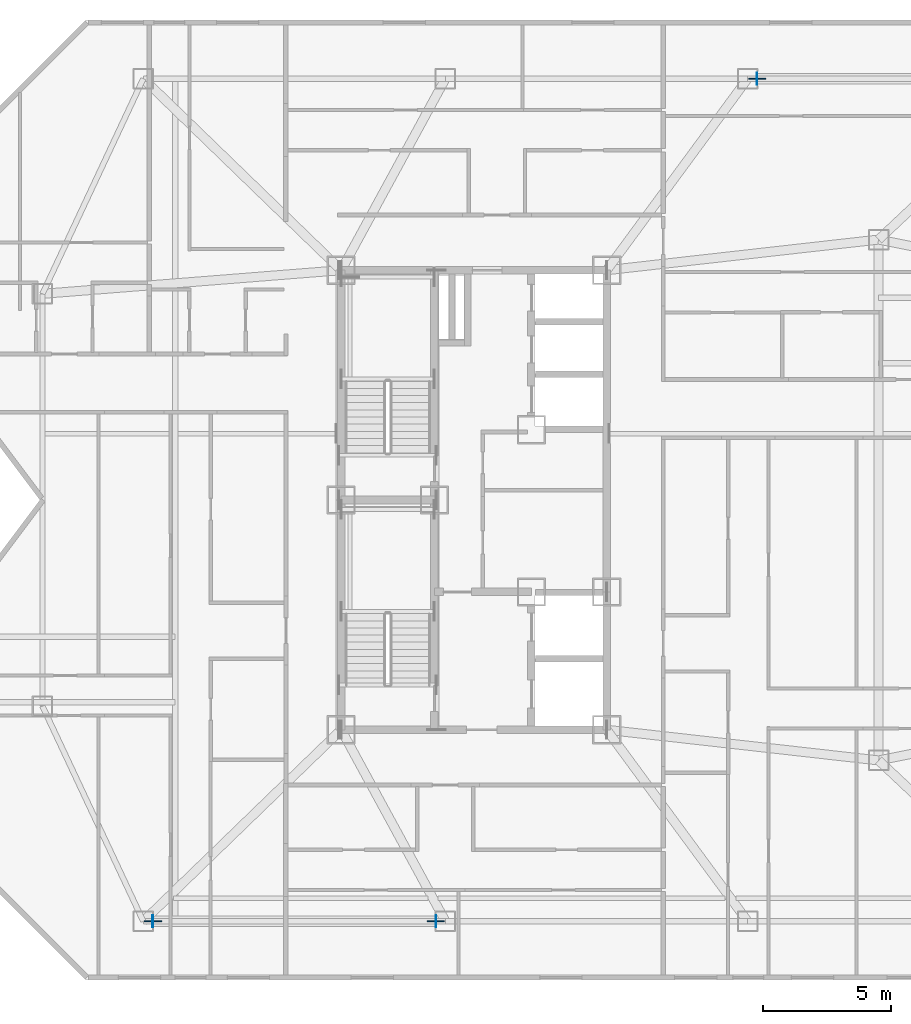
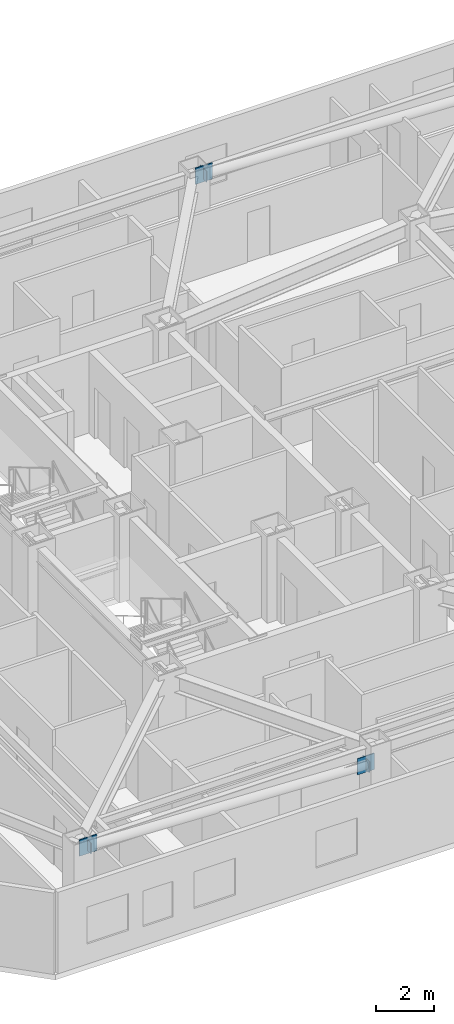
# One storey, part 3 of 12: 6 plates.
"""IFC4 building model written with IfcOpenShell, lengths in metres."""

from ifc_helpers import new_model, si_unit, direction, frame, origin, origin_2d, place, context, subcontext, project, spatial, rectangle, extrude, material, layer, layer_set, type_object, element, save


model = new_model("IFC4")

# Units and contexts
model_context = context("Model", 3, precision=1e-05, world=origin(), true_north=direction((0.0, 1.0)))
body_context = subcontext(model_context, "Body", "Model", "MODEL_VIEW")
ifc_project = project(units=[si_unit("LENGTHUNIT", "METRE"), si_unit("AREAUNIT", "SQUARE_METRE"), si_unit("VOLUMEUNIT", "CUBIC_METRE"), si_unit("PLANEANGLEUNIT", "RADIAN"), si_unit("MASSUNIT", "GRAM", prefix="KILO")], contexts=[model_context])

# Site, building, storey
site_placement = place(None, origin())
site = spatial("IfcSite", under=ifc_project, at=site_placement, CompositionType="ELEMENT")
building_placement = place(site_placement, origin())
building = spatial("IfcBuilding", under=site, at=building_placement, Name="Khamvora Tower", CompositionType="ELEMENT")
storey_placement = place(building_placement, frame((0.0, 0.0, 199.699951171875)))
storey = spatial("IfcBuildingStorey", under=building, at=storey_placement, Name="L51", CompositionType="ELEMENT", Elevation=199.699951171875)

# Plates
ifc_material_1 = material(Name="Steel S355", Category="steel")
ifc_layer_1 = layer(ifc_material_1, 0.02490234375)
ifc_layer_set_1 = layer_set([ifc_layer_1], Name="Steel S355")
plate_type_1 = type_object("IfcPlateType", Name="PL-CAP-25", PredefinedType="SHEET", material=ifc_layer_set_1)
for number, where, z_axis, x_axis, name in (
    (1, (32.715087890625, 11.5, 2.4609375), (0.0, 0.0, 1.0), (-1.0, 0.0, 0.0), "L51 hollow section steel end cap plate 0984"),
    (2, (21.617919921875, 11.5, 2.9150390625), (0.0, 0.0, 1.0), (-1.0, 0.0, 0.0), "L51 hollow section steel end cap plate 0985"),
    (3, (45.284912109375, 44.5, 2.9150390625), (0.0, 0.0, 1.0), (-1.0, 0.0, 0.0), "L51 hollow section steel end cap plate 0987"),
):
    element("IfcPlate", number, at=place(storey_placement, frame(where, z_axis=z_axis, x_axis=x_axis)), inside=storey, type_object=plate_type_1, Name=name, PredefinedType="SHEET", context=body_context, shape_type="SweptSolid", body=[
        extrude(rectangle(XDim=0.02490234375, YDim=0.466064453125, at=origin_2d()), origin(), (0.0, 0.0, 1.0), 0.466064453125),
    ])
ifc_material_2 = material(Name="Steel S460", Category="steel")
ifc_layer_2 = layer(ifc_material_2, 0.0400390625)
ifc_layer_set_2 = layer_set([ifc_layer_2], Name="Steel S460")
plate_type_2 = type_object("IfcPlateType", Name="PLT-GUS-40", PredefinedType="SHEET", material=ifc_layer_set_2)
for number, where, z_axis, x_axis, name in (
    (4, (32.702880859375, 11.5, 2.35498046875), (0.0, 0.0, 1.0), (1.0, 0.0, 0.0), "L51 brace connection node gusset plate 0321"),
    (5, (21.6298828125, 11.5, 2.80712890625), (0.0, 0.0, 1.0), (1.0, 0.0, 0.0), "L51 brace connection node gusset plate 0322"),
    (6, (45.297119140625, 44.5, 2.80712890625), (0.0, 0.0, 1.0), (1.0, 0.0, 0.0), "L51 brace connection node gusset plate 0324"),
):
    element("IfcPlate", number, at=place(storey_placement, frame(where, z_axis=z_axis, x_axis=x_axis)), inside=storey, type_object=plate_type_2, Name=name, PredefinedType="SHEET", context=body_context, shape_type="SweptSolid", body=[
        extrude(rectangle(XDim=0.679931640625, YDim=0.0400390625, at=origin_2d()), origin(), (0.0, 0.0, 1.0), 0.679931640625),
    ])

save(model, "model.ifc")
